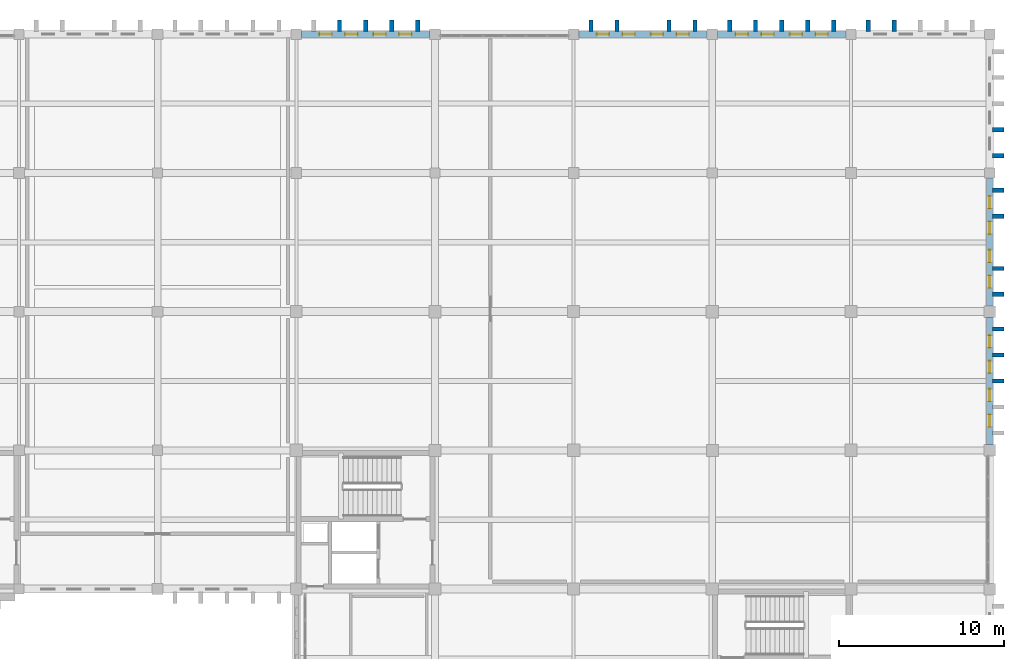
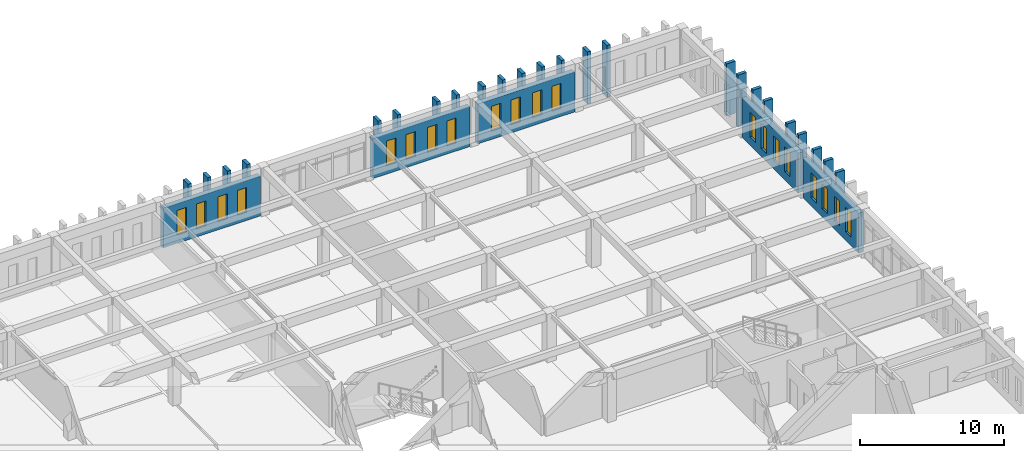
# One storey, part 179 of 192: 29 walls, 20 windows, 20 openings.
"""IFC4 building model written with IfcOpenShell, lengths in metres."""

from ifc_helpers import new_model, si_unit, direction, frame, frame_2d, origin, place, context, subcontext, project, spatial, rectangle, extrude, material, layer, layer_set, type_object, element, fill, save


model = new_model("IFC4")

# Units and contexts
model_context = context("Model", 3, precision=1e-05, world=origin(), true_north=direction((0.0, 1.0)))
body_context = subcontext(model_context, "Body", "Model", "MODEL_VIEW")
ifc_project = project(units=[si_unit("LENGTHUNIT", "METRE"), si_unit("AREAUNIT", "SQUARE_METRE"), si_unit("VOLUMEUNIT", "CUBIC_METRE"), si_unit("PLANEANGLEUNIT", "RADIAN"), si_unit("MASSUNIT", "GRAM", prefix="KILO")], contexts=[model_context])

# Site, building, storey
site_placement = place(None, origin())
site = spatial("IfcSite", under=ifc_project, at=site_placement, CompositionType="ELEMENT")
building_placement = place(site_placement, origin())
building = spatial("IfcBuilding", under=site, at=building_placement, Name="Kveldsbrygga Polytechnic", CompositionType="ELEMENT")
storey_placement = place(building_placement, frame((0.0, 0.0, 5.43994140625)))
storey = spatial("IfcBuildingStorey", under=building, at=storey_placement, Name="L01", CompositionType="ELEMENT", Elevation=5.43994140625)

# Wall, openings, windows
ifc_material_1 = material(Name="Fired clay brick masonry M10", Category="masonry")
ifc_layer_1 = layer(ifc_material_1, 0.3798828125)
ifc_layer_set_1 = layer_set([ifc_layer_1], Name="Fired clay brick masonry M10")
wall_type_1 = type_object("IfcWallType", Name="EW-BRICK-380", PredefinedType="SOLIDWALL", material=ifc_layer_set_1)
wall_1_placement = place(storey_placement, frame((126.294921875, 117.60009765625, 0.0), z_axis=(0.0, 0.0, 1.0), x_axis=(1.0, 0.0, 0.0)))
wall_1 = element("IfcWall", 1, at=wall_1_placement, inside=storey, type_object=wall_type_1, Name="Exterior Brick Wall EW-L01-X-15-14", PredefinedType="SOLIDWALL", context=body_context, shape_type="SweptSolid", body=[
    extrude(rectangle(XDim=7.795166015625, YDim=0.3798828125, at=frame_2d((3.8974609375, 0.0))), origin(), (0.0, 0.0, 1.0), 3.380126953125),
])
opening_1_placement = place(wall_1_placement, frame((1.10595703125, 0.0, 0.699951171875)))
opening_1 = element("IfcOpeningElement", 2, at=opening_1_placement, cuts=wall_1, Name="Opening W-27", PredefinedType="OPENING", context=body_context, shape_type="SweptSolid", body=[
    extrude(rectangle(XDim=0.75, YDim=2.10009765625, at=frame_2d((0.375, 1.050048828125))), frame((0.0, 0.199951171875, 0.0), z_axis=(0.0, -1.0, 0.0), x_axis=(1.0, 0.0, 0.0)), (0.0, 0.0, 1.0), 0.39990234375),
])
opening_2_placement = place(wall_1_placement, frame((2.6650390625, 0.0, 0.699951171875)))
opening_2 = element("IfcOpeningElement", 3, at=opening_2_placement, cuts=wall_1, Name="Opening W-27", PredefinedType="OPENING", context=body_context, shape_type="SweptSolid", body=[
    extrude(rectangle(XDim=0.75, YDim=2.10009765625, at=frame_2d((0.375, 1.050048828125))), frame((0.0, 0.199951171875, 0.0), z_axis=(0.0, -1.0, 0.0), x_axis=(1.0, 0.0, 0.0)), (0.0, 0.0, 1.0), 0.39990234375),
])
opening_3_placement = place(wall_1_placement, frame((4.3798828125, 0.0, 0.699951171875)))
opening_3 = element("IfcOpeningElement", 4, at=opening_3_placement, cuts=wall_1, Name="Opening W-27", PredefinedType="OPENING", context=body_context, shape_type="SweptSolid", body=[
    extrude(rectangle(XDim=0.75, YDim=2.10009765625, at=frame_2d((0.375, 1.050048828125))), frame((0.0, 0.199951171875, 0.0), z_axis=(0.0, -1.0, 0.0), x_axis=(1.0, 0.0, 0.0)), (0.0, 0.0, 1.0), 0.39990234375),
])
opening_4_placement = place(wall_1_placement, frame((5.93896484375, 0.0, 0.699951171875)))
opening_4 = element("IfcOpeningElement", 5, at=opening_4_placement, cuts=wall_1, Name="Opening W-27", PredefinedType="OPENING", context=body_context, shape_type="SweptSolid", body=[
    extrude(rectangle(XDim=0.75, YDim=2.10009765625, at=frame_2d((0.375, 1.050048828125))), frame((0.0, 0.199951171875, 0.0), z_axis=(0.0, -1.0, 0.0), x_axis=(1.0, 0.0, 0.0)), (0.0, 0.0, 1.0), 0.39990234375),
])
ifc_material_2 = material(Name="Insulated triple low-E glass", Category="glass")
window_type = type_object("IfcWindowType", Name="WN-ATTIC-075x210", PartitioningType="DOUBLE_PANEL_VERTICAL", PredefinedType="WINDOW", material=ifc_material_2)
window_1_placement = place(opening_1_placement, origin())
window_1 = element("IfcWindow", 6, at=window_1_placement, inside=storey, type_object=window_type, Name="Gothic Lancet Window WIN-L01-X-15-14-1", OverallHeight=2.10009765625, OverallWidth=0.75, PartitioningType="DOUBLE_PANEL_VERTICAL", PredefinedType="WINDOW", context=body_context, shape_type="SweptSolid", body=[
    extrude(rectangle(XDim=0.75, YDim=2.10009765625, at=frame_2d((0.375, 1.050048828125))), frame((0.0, 0.030029296875, 0.0), z_axis=(0.0, -1.0, 0.0), x_axis=(1.0, 0.0, 0.0)), (0.0, 0.0, 1.0), 0.06005859375),
])
fill(opening_1, window_1)
window_2_placement = place(opening_2_placement, origin())
window_2 = element("IfcWindow", 7, at=window_2_placement, inside=storey, type_object=window_type, Name="Gothic Lancet Window WIN-L01-X-15-14-2", OverallHeight=2.10009765625, OverallWidth=0.75, PartitioningType="DOUBLE_PANEL_VERTICAL", PredefinedType="WINDOW", context=body_context, shape_type="SweptSolid", body=[
    extrude(rectangle(XDim=0.75, YDim=2.10009765625, at=frame_2d((0.375, 1.050048828125))), frame((0.0, 0.030029296875, 0.0), z_axis=(0.0, -1.0, 0.0), x_axis=(1.0, 0.0, 0.0)), (0.0, 0.0, 1.0), 0.06005859375),
])
fill(opening_2, window_2)
window_3_placement = place(opening_3_placement, origin())
window_3 = element("IfcWindow", 8, at=window_3_placement, inside=storey, type_object=window_type, Name="Gothic Lancet Window WIN-L01-X-15-14-3", OverallHeight=2.10009765625, OverallWidth=0.75, PartitioningType="DOUBLE_PANEL_VERTICAL", PredefinedType="WINDOW", context=body_context, shape_type="SweptSolid", body=[
    extrude(rectangle(XDim=0.75, YDim=2.10009765625, at=frame_2d((0.375, 1.050048828125))), frame((0.0, 0.030029296875, 0.0), z_axis=(0.0, -1.0, 0.0), x_axis=(1.0, 0.0, 0.0)), (0.0, 0.0, 1.0), 0.06005859375),
])
fill(opening_3, window_3)
window_4_placement = place(opening_4_placement, origin())
window_4 = element("IfcWindow", 9, at=window_4_placement, inside=storey, type_object=window_type, Name="Gothic Lancet Window WIN-L01-X-15-14-4", OverallHeight=2.10009765625, OverallWidth=0.75, PartitioningType="DOUBLE_PANEL_VERTICAL", PredefinedType="WINDOW", context=body_context, shape_type="SweptSolid", body=[
    extrude(rectangle(XDim=0.75, YDim=2.10009765625, at=frame_2d((0.375, 1.050048828125))), frame((0.0, 0.030029296875, 0.0), z_axis=(0.0, -1.0, 0.0), x_axis=(1.0, 0.0, 0.0)), (0.0, 0.0, 1.0), 0.06005859375),
])
fill(opening_4, window_4)

wall_2_placement = place(storey_placement, frame((143.094970703125, 117.60009765625, 0.0), z_axis=(0.0, 0.0, 1.0), x_axis=(1.0, 0.0, 0.0)))
wall_2 = element("IfcWall", 10, at=wall_2_placement, inside=storey, type_object=wall_type_1, Name="Exterior Brick Wall EW-L01-X-17-14", PredefinedType="SOLIDWALL", context=body_context, shape_type="SweptSolid", body=[
    extrude(rectangle(XDim=7.794921875, YDim=0.3798828125, at=frame_2d((3.8974609375, 0.0))), origin(), (0.0, 0.0, 1.0), 3.380126953125),
])
opening_5_placement = place(wall_2_placement, frame((1.10595703125, 0.0, 0.699951171875)))
opening_5 = element("IfcOpeningElement", 11, at=opening_5_placement, cuts=wall_2, Name="Opening W-27", PredefinedType="OPENING", context=body_context, shape_type="SweptSolid", body=[
    extrude(rectangle(XDim=0.75, YDim=2.10009765625, at=frame_2d((0.375, 1.050048828125))), frame((0.0, 0.199951171875, 0.0), z_axis=(0.0, -1.0, 0.0), x_axis=(1.0, 0.0, 0.0)), (0.0, 0.0, 1.0), 0.39990234375),
])
opening_6_placement = place(wall_2_placement, frame((2.6650390625, 0.0, 0.699951171875)))
opening_6 = element("IfcOpeningElement", 12, at=opening_6_placement, cuts=wall_2, Name="Opening W-27", PredefinedType="OPENING", context=body_context, shape_type="SweptSolid", body=[
    extrude(rectangle(XDim=0.75, YDim=2.10009765625, at=frame_2d((0.375, 1.050048828125))), frame((0.0, 0.199951171875, 0.0), z_axis=(0.0, -1.0, 0.0), x_axis=(1.0, 0.0, 0.0)), (0.0, 0.0, 1.0), 0.39990234375),
])
opening_7_placement = place(wall_2_placement, frame((4.3798828125, 0.0, 0.699951171875)))
opening_7 = element("IfcOpeningElement", 13, at=opening_7_placement, cuts=wall_2, Name="Opening W-27", PredefinedType="OPENING", context=body_context, shape_type="SweptSolid", body=[
    extrude(rectangle(XDim=0.75, YDim=2.10009765625, at=frame_2d((0.375, 1.050048828125))), frame((0.0, 0.199951171875, 0.0), z_axis=(0.0, -1.0, 0.0), x_axis=(1.0, 0.0, 0.0)), (0.0, 0.0, 1.0), 0.39990234375),
])
opening_8_placement = place(wall_2_placement, frame((5.93896484375, 0.0, 0.699951171875)))
opening_8 = element("IfcOpeningElement", 14, at=opening_8_placement, cuts=wall_2, Name="Opening W-27", PredefinedType="OPENING", context=body_context, shape_type="SweptSolid", body=[
    extrude(rectangle(XDim=0.75, YDim=2.10009765625, at=frame_2d((0.375, 1.050048828125))), frame((0.0, 0.199951171875, 0.0), z_axis=(0.0, -1.0, 0.0), x_axis=(1.0, 0.0, 0.0)), (0.0, 0.0, 1.0), 0.39990234375),
])
window_5_placement = place(opening_5_placement, origin())
window_5 = element("IfcWindow", 15, at=window_5_placement, inside=storey, type_object=window_type, Name="Gothic Lancet Window WIN-L01-X-17-14-1", OverallHeight=2.10009765625, OverallWidth=0.75, PartitioningType="DOUBLE_PANEL_VERTICAL", PredefinedType="WINDOW", context=body_context, shape_type="SweptSolid", body=[
    extrude(rectangle(XDim=0.75, YDim=2.10009765625, at=frame_2d((0.375, 1.050048828125))), frame((0.0, 0.030029296875, 0.0), z_axis=(0.0, -1.0, 0.0), x_axis=(1.0, 0.0, 0.0)), (0.0, 0.0, 1.0), 0.06005859375),
])
fill(opening_5, window_5)
window_6_placement = place(opening_6_placement, origin())
window_6 = element("IfcWindow", 16, at=window_6_placement, inside=storey, type_object=window_type, Name="Gothic Lancet Window WIN-L01-X-17-14-2", OverallHeight=2.10009765625, OverallWidth=0.75, PartitioningType="DOUBLE_PANEL_VERTICAL", PredefinedType="WINDOW", context=body_context, shape_type="SweptSolid", body=[
    extrude(rectangle(XDim=0.75, YDim=2.10009765625, at=frame_2d((0.375, 1.050048828125))), frame((0.0, 0.030029296875, 0.0), z_axis=(0.0, -1.0, 0.0), x_axis=(1.0, 0.0, 0.0)), (0.0, 0.0, 1.0), 0.06005859375),
])
fill(opening_6, window_6)
window_7_placement = place(opening_7_placement, origin())
window_7 = element("IfcWindow", 17, at=window_7_placement, inside=storey, type_object=window_type, Name="Gothic Lancet Window WIN-L01-X-17-14-3", OverallHeight=2.10009765625, OverallWidth=0.75, PartitioningType="DOUBLE_PANEL_VERTICAL", PredefinedType="WINDOW", context=body_context, shape_type="SweptSolid", body=[
    extrude(rectangle(XDim=0.75, YDim=2.10009765625, at=frame_2d((0.375, 1.050048828125))), frame((0.0, 0.030029296875, 0.0), z_axis=(0.0, -1.0, 0.0), x_axis=(1.0, 0.0, 0.0)), (0.0, 0.0, 1.0), 0.06005859375),
])
fill(opening_7, window_7)
window_8_placement = place(opening_8_placement, origin())
window_8 = element("IfcWindow", 18, at=window_8_placement, inside=storey, type_object=window_type, Name="Gothic Lancet Window WIN-L01-X-17-14-4", OverallHeight=2.10009765625, OverallWidth=0.75, PartitioningType="DOUBLE_PANEL_VERTICAL", PredefinedType="WINDOW", context=body_context, shape_type="SweptSolid", body=[
    extrude(rectangle(XDim=0.75, YDim=2.10009765625, at=frame_2d((0.375, 1.050048828125))), frame((0.0, 0.030029296875, 0.0), z_axis=(0.0, -1.0, 0.0), x_axis=(1.0, 0.0, 0.0)), (0.0, 0.0, 1.0), 0.06005859375),
])
fill(opening_8, window_8)

wall_3_placement = place(storey_placement, frame((168.0, 92.72509765625, 0.0), z_axis=(0.0, 0.0, 1.0), x_axis=(0.0, 1.0, 0.0)))
wall_3 = element("IfcWall", 19, at=wall_3_placement, inside=storey, type_object=wall_type_1, Name="Exterior Brick Wall EW-L01-Y-20-11", PredefinedType="SOLIDWALL", context=body_context, shape_type="SweptSolid", body=[
    extrude(rectangle(XDim=7.739990234375, YDim=0.3798828125, at=frame_2d((3.8701171875, 0.0))), origin(), (0.0, 0.0, 1.0), 3.3701171875),
])
opening_9_placement = place(wall_3_placement, frame((1.095703125, 0.0, 0.699951171875)))
opening_9 = element("IfcOpeningElement", 20, at=opening_9_placement, cuts=wall_3, Name="Opening W-27", PredefinedType="OPENING", context=body_context, shape_type="SweptSolid", body=[
    extrude(rectangle(XDim=0.75, YDim=2.10009765625, at=frame_2d((0.375, 1.050048828125))), frame((0.0, 0.199951171875, 0.0), z_axis=(0.0, -1.0, 0.0), x_axis=(1.0, 0.0, 0.0)), (0.0, 0.0, 1.0), 0.39990234375),
])
opening_10_placement = place(wall_3_placement, frame((2.6435546875, 0.0, 0.699951171875)))
opening_10 = element("IfcOpeningElement", 21, at=opening_10_placement, cuts=wall_3, Name="Opening W-27", PredefinedType="OPENING", context=body_context, shape_type="SweptSolid", body=[
    extrude(rectangle(XDim=0.75, YDim=2.10009765625, at=frame_2d((0.375, 1.050048828125))), frame((0.0, 0.199951171875, 0.0), z_axis=(0.0, -1.0, 0.0), x_axis=(1.0, 0.0, 0.0)), (0.0, 0.0, 1.0), 0.39990234375),
])
opening_11_placement = place(wall_3_placement, frame((4.346435546875, 0.0, 0.699951171875)))
opening_11 = element("IfcOpeningElement", 22, at=opening_11_placement, cuts=wall_3, Name="Opening W-27", PredefinedType="OPENING", context=body_context, shape_type="SweptSolid", body=[
    extrude(rectangle(XDim=0.75, YDim=2.10009765625, at=frame_2d((0.375, 1.050048828125))), frame((0.0, 0.199951171875, 0.0), z_axis=(0.0, -1.0, 0.0), x_axis=(1.0, 0.0, 0.0)), (0.0, 0.0, 1.0), 0.39990234375),
])
opening_12_placement = place(wall_3_placement, frame((5.894287109375, 0.0, 0.699951171875)))
opening_12 = element("IfcOpeningElement", 23, at=opening_12_placement, cuts=wall_3, Name="Opening W-27", PredefinedType="OPENING", context=body_context, shape_type="SweptSolid", body=[
    extrude(rectangle(XDim=0.75, YDim=2.10009765625, at=frame_2d((0.375, 1.050048828125))), frame((0.0, 0.199951171875, 0.0), z_axis=(0.0, -1.0, 0.0), x_axis=(1.0, 0.0, 0.0)), (0.0, 0.0, 1.0), 0.39990234375),
])
window_9_placement = place(opening_9_placement, origin())
window_9 = element("IfcWindow", 24, at=window_9_placement, inside=storey, type_object=window_type, Name="Gothic Lancet Window WIN-L01-Y-20-11-1", OverallHeight=2.10009765625, OverallWidth=0.75, PartitioningType="DOUBLE_PANEL_VERTICAL", PredefinedType="WINDOW", context=body_context, shape_type="SweptSolid", body=[
    extrude(rectangle(XDim=0.75, YDim=2.10009765625, at=frame_2d((0.375, 1.050048828125))), frame((0.0, 0.030029296875, 0.0), z_axis=(0.0, -1.0, 0.0), x_axis=(1.0, 0.0, 0.0)), (0.0, 0.0, 1.0), 0.06005859375),
])
fill(opening_9, window_9)
window_10_placement = place(opening_10_placement, origin())
window_10 = element("IfcWindow", 25, at=window_10_placement, inside=storey, type_object=window_type, Name="Gothic Lancet Window WIN-L01-Y-20-11-2", OverallHeight=2.10009765625, OverallWidth=0.75, PartitioningType="DOUBLE_PANEL_VERTICAL", PredefinedType="WINDOW", context=body_context, shape_type="SweptSolid", body=[
    extrude(rectangle(XDim=0.75, YDim=2.10009765625, at=frame_2d((0.375, 1.050048828125))), frame((0.0, 0.030029296875, 0.0), z_axis=(0.0, -1.0, 0.0), x_axis=(1.0, 0.0, 0.0)), (0.0, 0.0, 1.0), 0.06005859375),
])
fill(opening_10, window_10)
window_11_placement = place(opening_11_placement, origin())
window_11 = element("IfcWindow", 26, at=window_11_placement, inside=storey, type_object=window_type, Name="Gothic Lancet Window WIN-L01-Y-20-11-3", OverallHeight=2.10009765625, OverallWidth=0.75, PartitioningType="DOUBLE_PANEL_VERTICAL", PredefinedType="WINDOW", context=body_context, shape_type="SweptSolid", body=[
    extrude(rectangle(XDim=0.75, YDim=2.10009765625, at=frame_2d((0.375, 1.050048828125))), frame((0.0, 0.030029296875, 0.0), z_axis=(0.0, -1.0, 0.0), x_axis=(1.0, 0.0, 0.0)), (0.0, 0.0, 1.0), 0.06005859375),
])
fill(opening_11, window_11)
window_12_placement = place(opening_12_placement, origin())
window_12 = element("IfcWindow", 27, at=window_12_placement, inside=storey, type_object=window_type, Name="Gothic Lancet Window WIN-L01-Y-20-11-4", OverallHeight=2.10009765625, OverallWidth=0.75, PartitioningType="DOUBLE_PANEL_VERTICAL", PredefinedType="WINDOW", context=body_context, shape_type="SweptSolid", body=[
    extrude(rectangle(XDim=0.75, YDim=2.10009765625, at=frame_2d((0.375, 1.050048828125))), frame((0.0, 0.030029296875, 0.0), z_axis=(0.0, -1.0, 0.0), x_axis=(1.0, 0.0, 0.0)), (0.0, 0.0, 1.0), 0.06005859375),
])
fill(opening_12, window_12)

ifc_layer_2 = layer(ifc_material_1, 0.39990234375)
ifc_layer_set_2 = layer_set([ifc_layer_2], Name="Fired clay brick masonry M10")
wall_type_2 = type_object("IfcWallType", Name="EW-BRICK-400", PredefinedType="SOLIDWALL", material=ifc_layer_set_2)
wall_4_placement = place(storey_placement, frame((151.510009765625, 117.60009765625, 0.0), z_axis=(0.0, 0.0, 1.0), x_axis=(1.0, 0.0, 0.0)))
wall_4 = element("IfcWall", 28, at=wall_4_placement, inside=storey, type_object=wall_type_2, Name="Exterior Brick Wall EW-L01-X-18-14", PredefinedType="SOLIDWALL", context=body_context, shape_type="SweptSolid", body=[
    extrude(rectangle(XDim=7.794921875, YDim=0.39990234375, at=frame_2d((3.8974609375, 0.0))), origin(), (0.0, 0.0, 1.0), 3.380126953125),
])
opening_13_placement = place(wall_4_placement, frame((1.10595703125, 0.0, 0.699951171875)))
opening_13 = element("IfcOpeningElement", 29, at=opening_13_placement, cuts=wall_4, Name="Opening W-27", PredefinedType="OPENING", context=body_context, shape_type="SweptSolid", body=[
    extrude(rectangle(XDim=0.75, YDim=2.10009765625, at=frame_2d((0.375, 1.050048828125))), frame((0.0, 0.2099609375, 0.0), z_axis=(0.0, -1.0, 0.0), x_axis=(1.0, 0.0, 0.0)), (0.0, 0.0, 1.0), 0.419921875),
])
opening_14_placement = place(wall_4_placement, frame((2.6650390625, 0.0, 0.699951171875)))
opening_14 = element("IfcOpeningElement", 30, at=opening_14_placement, cuts=wall_4, Name="Opening W-27", PredefinedType="OPENING", context=body_context, shape_type="SweptSolid", body=[
    extrude(rectangle(XDim=0.75, YDim=2.10009765625, at=frame_2d((0.375, 1.050048828125))), frame((0.0, 0.2099609375, 0.0), z_axis=(0.0, -1.0, 0.0), x_axis=(1.0, 0.0, 0.0)), (0.0, 0.0, 1.0), 0.419921875),
])
opening_15_placement = place(wall_4_placement, frame((4.3798828125, 0.0, 0.699951171875)))
opening_15 = element("IfcOpeningElement", 31, at=opening_15_placement, cuts=wall_4, Name="Opening W-27", PredefinedType="OPENING", context=body_context, shape_type="SweptSolid", body=[
    extrude(rectangle(XDim=0.75, YDim=2.10009765625, at=frame_2d((0.375, 1.050048828125))), frame((0.0, 0.2099609375, 0.0), z_axis=(0.0, -1.0, 0.0), x_axis=(1.0, 0.0, 0.0)), (0.0, 0.0, 1.0), 0.419921875),
])
opening_16_placement = place(wall_4_placement, frame((5.93896484375, 0.0, 0.699951171875)))
opening_16 = element("IfcOpeningElement", 32, at=opening_16_placement, cuts=wall_4, Name="Opening W-27", PredefinedType="OPENING", context=body_context, shape_type="SweptSolid", body=[
    extrude(rectangle(XDim=0.75, YDim=2.10009765625, at=frame_2d((0.375, 1.050048828125))), frame((0.0, 0.2099609375, 0.0), z_axis=(0.0, -1.0, 0.0), x_axis=(1.0, 0.0, 0.0)), (0.0, 0.0, 1.0), 0.419921875),
])
window_13_placement = place(opening_13_placement, origin())
window_13 = element("IfcWindow", 33, at=window_13_placement, inside=storey, type_object=window_type, Name="Gothic Lancet Window WIN-L01-X-18-14-1", OverallHeight=2.10009765625, OverallWidth=0.75, PartitioningType="DOUBLE_PANEL_VERTICAL", PredefinedType="WINDOW", context=body_context, shape_type="SweptSolid", body=[
    extrude(rectangle(XDim=0.75, YDim=2.10009765625, at=frame_2d((0.375, 1.050048828125))), frame((0.0, 0.030029296875, 0.0), z_axis=(0.0, -1.0, 0.0), x_axis=(1.0, 0.0, 0.0)), (0.0, 0.0, 1.0), 0.06005859375),
])
fill(opening_13, window_13)
window_14_placement = place(opening_14_placement, origin())
window_14 = element("IfcWindow", 34, at=window_14_placement, inside=storey, type_object=window_type, Name="Gothic Lancet Window WIN-L01-X-18-14-2", OverallHeight=2.10009765625, OverallWidth=0.75, PartitioningType="DOUBLE_PANEL_VERTICAL", PredefinedType="WINDOW", context=body_context, shape_type="SweptSolid", body=[
    extrude(rectangle(XDim=0.75, YDim=2.10009765625, at=frame_2d((0.375, 1.050048828125))), frame((0.0, 0.030029296875, 0.0), z_axis=(0.0, -1.0, 0.0), x_axis=(1.0, 0.0, 0.0)), (0.0, 0.0, 1.0), 0.06005859375),
])
fill(opening_14, window_14)
window_15_placement = place(opening_15_placement, origin())
window_15 = element("IfcWindow", 35, at=window_15_placement, inside=storey, type_object=window_type, Name="Gothic Lancet Window WIN-L01-X-18-14-3", OverallHeight=2.10009765625, OverallWidth=0.75, PartitioningType="DOUBLE_PANEL_VERTICAL", PredefinedType="WINDOW", context=body_context, shape_type="SweptSolid", body=[
    extrude(rectangle(XDim=0.75, YDim=2.10009765625, at=frame_2d((0.375, 1.050048828125))), frame((0.0, 0.030029296875, 0.0), z_axis=(0.0, -1.0, 0.0), x_axis=(1.0, 0.0, 0.0)), (0.0, 0.0, 1.0), 0.06005859375),
])
fill(opening_15, window_15)
window_16_placement = place(opening_16_placement, origin())
window_16 = element("IfcWindow", 36, at=window_16_placement, inside=storey, type_object=window_type, Name="Gothic Lancet Window WIN-L01-X-18-14-4", OverallHeight=2.10009765625, OverallWidth=0.75, PartitioningType="DOUBLE_PANEL_VERTICAL", PredefinedType="WINDOW", context=body_context, shape_type="SweptSolid", body=[
    extrude(rectangle(XDim=0.75, YDim=2.10009765625, at=frame_2d((0.375, 1.050048828125))), frame((0.0, 0.030029296875, 0.0), z_axis=(0.0, -1.0, 0.0), x_axis=(1.0, 0.0, 0.0)), (0.0, 0.0, 1.0), 0.06005859375),
])
fill(opening_16, window_16)

wall_5_placement = place(storey_placement, frame((168.0, 101.135009765625, 0.0), z_axis=(0.0, 0.0, 1.0), x_axis=(0.0, 1.0, 0.0)))
wall_5 = element("IfcWall", 37, at=wall_5_placement, inside=storey, type_object=wall_type_2, Name="Exterior Brick Wall EW-L01-Y-20-12", PredefinedType="SOLIDWALL", context=body_context, shape_type="SweptSolid", body=[
    extrude(rectangle(XDim=7.77001953125, YDim=0.39990234375, at=frame_2d((3.885009765625, 0.0))), origin(), (0.0, 0.0, 1.0), 3.3701171875),
])
opening_17_placement = place(wall_5_placement, frame((1.101318359375, 0.0, 0.699951171875)))
opening_17 = element("IfcOpeningElement", 38, at=opening_17_placement, cuts=wall_5, Name="Opening W-27", PredefinedType="OPENING", context=body_context, shape_type="SweptSolid", body=[
    extrude(rectangle(XDim=0.75, YDim=2.10009765625, at=frame_2d((0.375, 1.050048828125))), frame((0.0, 0.2099609375, 0.0), z_axis=(0.0, -1.0, 0.0), x_axis=(1.0, 0.0, 0.0)), (0.0, 0.0, 1.0), 0.419921875),
])
opening_18_placement = place(wall_5_placement, frame((2.6552734375, 0.0, 0.699951171875)))
opening_18 = element("IfcOpeningElement", 39, at=opening_18_placement, cuts=wall_5, Name="Opening W-27", PredefinedType="OPENING", context=body_context, shape_type="SweptSolid", body=[
    extrude(rectangle(XDim=0.75, YDim=2.10009765625, at=frame_2d((0.375, 1.050048828125))), frame((0.0, 0.2099609375, 0.0), z_axis=(0.0, -1.0, 0.0), x_axis=(1.0, 0.0, 0.0)), (0.0, 0.0, 1.0), 0.419921875),
])
opening_19_placement = place(wall_5_placement, frame((4.36474609375, 0.0, 0.699951171875)))
opening_19 = element("IfcOpeningElement", 40, at=opening_19_placement, cuts=wall_5, Name="Opening W-27", PredefinedType="OPENING", context=body_context, shape_type="SweptSolid", body=[
    extrude(rectangle(XDim=0.75, YDim=2.10009765625, at=frame_2d((0.375, 1.050048828125))), frame((0.0, 0.2099609375, 0.0), z_axis=(0.0, -1.0, 0.0), x_axis=(1.0, 0.0, 0.0)), (0.0, 0.0, 1.0), 0.419921875),
])
opening_20_placement = place(wall_5_placement, frame((5.918701171875, 0.0, 0.699951171875)))
opening_20 = element("IfcOpeningElement", 41, at=opening_20_placement, cuts=wall_5, Name="Opening W-27", PredefinedType="OPENING", context=body_context, shape_type="SweptSolid", body=[
    extrude(rectangle(XDim=0.75, YDim=2.10009765625, at=frame_2d((0.375, 1.050048828125))), frame((0.0, 0.2099609375, 0.0), z_axis=(0.0, -1.0, 0.0), x_axis=(1.0, 0.0, 0.0)), (0.0, 0.0, 1.0), 0.419921875),
])
window_17_placement = place(opening_17_placement, origin())
window_17 = element("IfcWindow", 42, at=window_17_placement, inside=storey, type_object=window_type, Name="Gothic Lancet Window WIN-L01-Y-20-12-1", OverallHeight=2.10009765625, OverallWidth=0.75, PartitioningType="DOUBLE_PANEL_VERTICAL", PredefinedType="WINDOW", context=body_context, shape_type="SweptSolid", body=[
    extrude(rectangle(XDim=0.75, YDim=2.10009765625, at=frame_2d((0.375, 1.050048828125))), frame((0.0, 0.030029296875, 0.0), z_axis=(0.0, -1.0, 0.0), x_axis=(1.0, 0.0, 0.0)), (0.0, 0.0, 1.0), 0.06005859375),
])
fill(opening_17, window_17)
window_18_placement = place(opening_18_placement, origin())
window_18 = element("IfcWindow", 43, at=window_18_placement, inside=storey, type_object=window_type, Name="Gothic Lancet Window WIN-L01-Y-20-12-2", OverallHeight=2.10009765625, OverallWidth=0.75, PartitioningType="DOUBLE_PANEL_VERTICAL", PredefinedType="WINDOW", context=body_context, shape_type="SweptSolid", body=[
    extrude(rectangle(XDim=0.75, YDim=2.10009765625, at=frame_2d((0.375, 1.050048828125))), frame((0.0, 0.030029296875, 0.0), z_axis=(0.0, -1.0, 0.0), x_axis=(1.0, 0.0, 0.0)), (0.0, 0.0, 1.0), 0.06005859375),
])
fill(opening_18, window_18)
window_19_placement = place(opening_19_placement, origin())
window_19 = element("IfcWindow", 44, at=window_19_placement, inside=storey, type_object=window_type, Name="Gothic Lancet Window WIN-L01-Y-20-12-3", OverallHeight=2.10009765625, OverallWidth=0.75, PartitioningType="DOUBLE_PANEL_VERTICAL", PredefinedType="WINDOW", context=body_context, shape_type="SweptSolid", body=[
    extrude(rectangle(XDim=0.75, YDim=2.10009765625, at=frame_2d((0.375, 1.050048828125))), frame((0.0, 0.030029296875, 0.0), z_axis=(0.0, -1.0, 0.0), x_axis=(1.0, 0.0, 0.0)), (0.0, 0.0, 1.0), 0.06005859375),
])
fill(opening_19, window_19)
window_20_placement = place(opening_20_placement, origin())
window_20 = element("IfcWindow", 45, at=window_20_placement, inside=storey, type_object=window_type, Name="Gothic Lancet Window WIN-L01-Y-20-12-4", OverallHeight=2.10009765625, OverallWidth=0.75, PartitioningType="DOUBLE_PANEL_VERTICAL", PredefinedType="WINDOW", context=body_context, shape_type="SweptSolid", body=[
    extrude(rectangle(XDim=0.75, YDim=2.10009765625, at=frame_2d((0.375, 1.050048828125))), frame((0.0, 0.030029296875, 0.0), z_axis=(0.0, -1.0, 0.0), x_axis=(1.0, 0.0, 0.0)), (0.0, 0.0, 1.0), 0.06005859375),
])
fill(opening_20, window_20)

# Walls
ifc_layer_3 = layer(ifc_material_1, 0.260009765625)
ifc_layer_set_3 = layer_set([ifc_layer_3], Name="Fired clay brick masonry M10")
wall_type_3 = type_object("IfcWallType", Name="EW-BUTT-260", PredefinedType="SOLIDWALL", material=ifc_layer_set_3)
for number, where, z_axis, x_axis, name in (
    (46, (128.6201171875, 117.764892578125, 0.0), (0.0, 0.0, 1.0), (0.0, 1.0, 0.0), "Gothic Brick Buttress Pier BUTT-L01-X-15-14-2"),
    (47, (130.199951171875, 117.764892578125, 0.0), (0.0, 0.0, 1.0), (0.0, 1.0, 0.0), "Gothic Brick Buttress Pier BUTT-L01-X-15-14-3"),
    (48, (131.780029296875, 117.764892578125, 0.0), (0.0, 0.0, 1.0), (0.0, 1.0, 0.0), "Gothic Brick Buttress Pier BUTT-L01-X-15-14-4"),
    (49, (133.35009765625, 117.764892578125, 0.0), (0.0, 0.0, 1.0), (0.0, 1.0, 0.0), "Gothic Brick Buttress Pier BUTT-L01-X-15-14-5"),
    (50, (143.85009765625, 117.764892578125, 0.0), (0.0, 0.0, 1.0), (0.0, 1.0, 0.0), "Gothic Brick Buttress Pier BUTT-L01-X-17-14-1"),
    (51, (145.419921875, 117.764892578125, 0.0), (0.0, 0.0, 1.0), (0.0, 1.0, 0.0), "Gothic Brick Buttress Pier BUTT-L01-X-17-14-2"),
    (52, (148.580078125, 117.764892578125, 0.0), (0.0, 0.0, 1.0), (0.0, 1.0, 0.0), "Gothic Brick Buttress Pier BUTT-L01-X-17-14-4"),
    (53, (150.14990234375, 117.764892578125, 0.0), (0.0, 0.0, 1.0), (0.0, 1.0, 0.0), "Gothic Brick Buttress Pier BUTT-L01-X-17-14-5"),
    (54, (152.25, 117.764892578125, 0.0), (0.0, 0.0, 1.0), (0.0, 1.0, 0.0), "Gothic Brick Buttress Pier BUTT-L01-X-18-14-1"),
    (55, (153.820068359375, 117.764892578125, 0.0), (0.0, 0.0, 1.0), (0.0, 1.0, 0.0), "Gothic Brick Buttress Pier BUTT-L01-X-18-14-2"),
    (56, (155.39990234375, 117.764892578125, 0.0), (0.0, 0.0, 1.0), (0.0, 1.0, 0.0), "Gothic Brick Buttress Pier BUTT-L01-X-18-14-3"),
    (57, (156.97998046875, 117.764892578125, 0.0), (0.0, 0.0, 1.0), (0.0, 1.0, 0.0), "Gothic Brick Buttress Pier BUTT-L01-X-18-14-4"),
    (58, (158.550048828125, 117.764892578125, 0.0), (0.0, 0.0, 1.0), (0.0, 1.0, 0.0), "Gothic Brick Buttress Pier BUTT-L01-X-18-14-5"),
):
    element("IfcWall", number, at=place(storey_placement, frame(where, z_axis=z_axis, x_axis=x_axis)), inside=storey, type_object=wall_type_3, Name=name, PredefinedType="SOLIDWALL", context=body_context, shape_type="SweptSolid", body=[
        extrude(rectangle(XDim=0.7001953125, YDim=0.260009765625, at=frame_2d((0.35009765625, 0.0))), origin(), (0.0, 0.0, 1.0), 4.420166015625),
    ])
for number, where, z_axis, x_axis, name in (
    (59, (168.1650390625, 96.60009765625, 0.0), (0.0, 0.0, 1.0), (1.0, 0.0, 0.0), "Gothic Brick Buttress Pier BUTT-L01-Y-20-11-3"),
    (60, (168.1650390625, 98.179931640625, 0.0), (0.0, 0.0, 1.0), (1.0, 0.0, 0.0), "Gothic Brick Buttress Pier BUTT-L01-Y-20-11-4"),
    (61, (168.1650390625, 99.75, 0.0), (0.0, 0.0, 1.0), (1.0, 0.0, 0.0), "Gothic Brick Buttress Pier BUTT-L01-Y-20-11-5"),
    (62, (168.1650390625, 101.85009765625, 0.0), (0.0, 0.0, 1.0), (1.0, 0.0, 0.0), "Gothic Brick Buttress Pier BUTT-L01-Y-20-12-1"),
    (63, (168.1650390625, 103.419921875, 0.0), (0.0, 0.0, 1.0), (1.0, 0.0, 0.0), "Gothic Brick Buttress Pier BUTT-L01-Y-20-12-2"),
    (64, (168.1650390625, 106.580078125, 0.0), (0.0, 0.0, 1.0), (1.0, 0.0, 0.0), "Gothic Brick Buttress Pier BUTT-L01-Y-20-12-4"),
    (65, (168.1650390625, 108.14990234375, 0.0), (0.0, 0.0, 1.0), (1.0, 0.0, 0.0), "Gothic Brick Buttress Pier BUTT-L01-Y-20-12-5"),
):
    element("IfcWall", number, at=place(storey_placement, frame(where, z_axis=z_axis, x_axis=x_axis)), inside=storey, type_object=wall_type_3, Name=name, PredefinedType="SOLIDWALL", context=body_context, shape_type="SweptSolid", body=[
        extrude(rectangle(XDim=0.699951171875, YDim=0.260009765625, at=frame_2d((0.35009765625, 0.0))), origin(), (0.0, 0.0, 1.0), 4.420166015625),
    ])
for number, where, z_axis, x_axis, name in (
    (66, (160.64990234375, 117.764892578125, 0.0), (0.0, 0.0, 1.0), (0.0, 1.0, 0.0), "Gothic Brick Buttress Pier BUTT-L01-X-19-14-1"),
    (67, (162.219970703125, 117.764892578125, 0.0), (0.0, 0.0, 1.0), (0.0, 1.0, 0.0), "Gothic Brick Buttress Pier BUTT-L01-X-19-14-2"),
):
    element("IfcWall", number, at=place(storey_placement, frame(where, z_axis=z_axis, x_axis=x_axis)), inside=storey, type_object=wall_type_3, Name=name, PredefinedType="SOLIDWALL", context=body_context, shape_type="SweptSolid", body=[
        extrude(rectangle(XDim=0.7001953125, YDim=0.260009765625, at=frame_2d((0.35009765625, 0.0))), origin(), (0.0, 0.0, 1.0), 4.420166015625),
    ])
for number, where, z_axis, x_axis, name in (
    (68, (168.1650390625, 110.25, 0.0), (0.0, 0.0, 1.0), (1.0, 0.0, 0.0), "Gothic Brick Buttress Pier BUTT-L01-Y-20-13-1"),
    (69, (168.1650390625, 111.820068359375, 0.0), (0.0, 0.0, 1.0), (1.0, 0.0, 0.0), "Gothic Brick Buttress Pier BUTT-L01-Y-20-13-2"),
):
    element("IfcWall", number, at=place(storey_placement, frame(where, z_axis=z_axis, x_axis=x_axis)), inside=storey, type_object=wall_type_3, Name=name, PredefinedType="SOLIDWALL", context=body_context, shape_type="SweptSolid", body=[
        extrude(rectangle(XDim=0.699951171875, YDim=0.260009765625, at=frame_2d((0.35009765625, 0.0))), origin(), (0.0, 0.0, 1.0), 4.420166015625),
    ])

save(model, "model.ifc")
